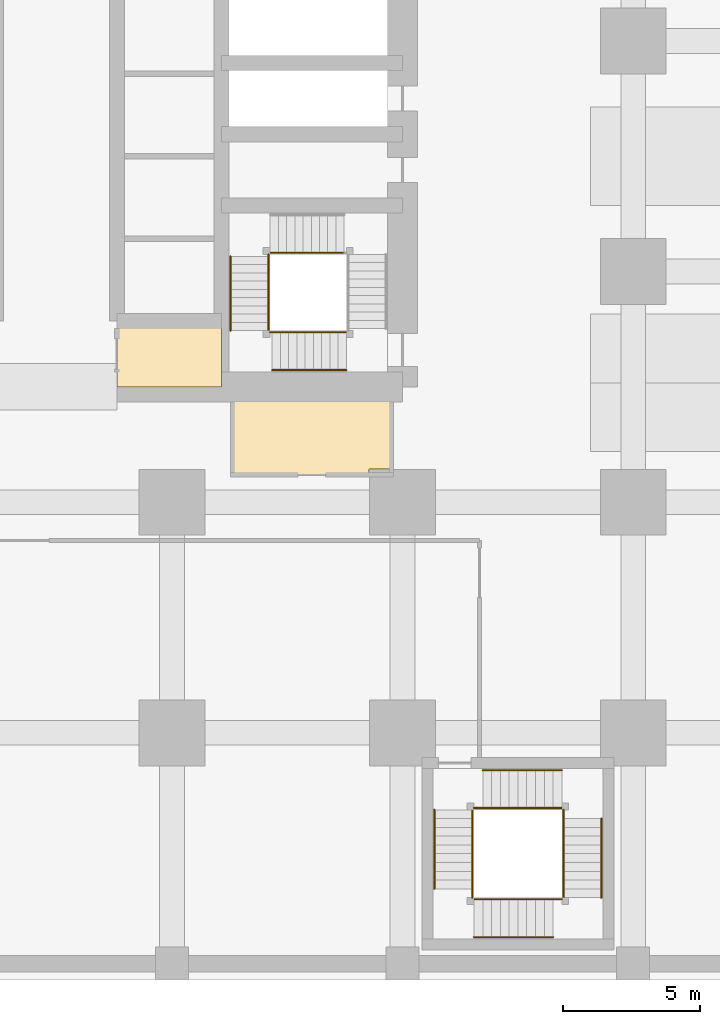
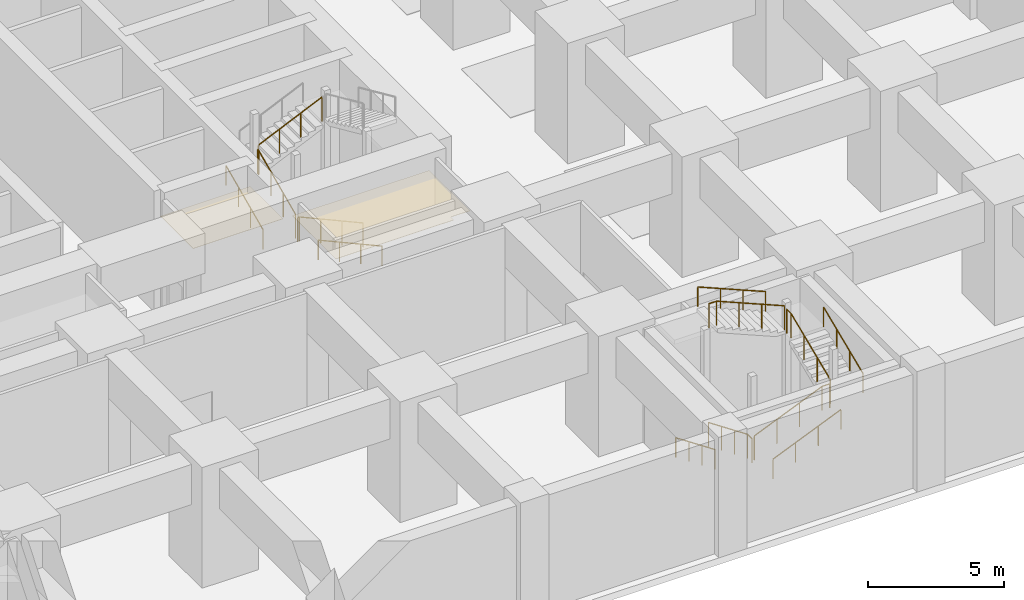
# One storey, part 15 of 20: 19 railings, 2 coverings.
"""IFC4 building model written with IfcOpenShell, lengths in metres."""

from ifc_helpers import new_model, si_unit, direction, frame, origin, origin_2d, place, context, subcontext, project, spatial, polyline, circle, outline, extrude, material, layer, layer_set, type_object, element, save


model = new_model("IFC4")

# Units and contexts
model_context = context("Model", 3, precision=1e-05, world=origin(), true_north=direction((0.0, 1.0)))
body_context = subcontext(model_context, "Body", "Model", "MODEL_VIEW")
ifc_project = project(units=[si_unit("LENGTHUNIT", "METRE"), si_unit("AREAUNIT", "SQUARE_METRE"), si_unit("VOLUMEUNIT", "CUBIC_METRE"), si_unit("PLANEANGLEUNIT", "RADIAN"), si_unit("MASSUNIT", "GRAM", prefix="KILO")], contexts=[model_context])

# Site, building, storey
site_placement = place(None, origin())
site = spatial("IfcSite", under=ifc_project, at=site_placement, CompositionType="ELEMENT")
building_placement = place(site_placement, origin())
building = spatial("IfcBuilding", under=site, at=building_placement, Name="Rekha Terrace Tower", CompositionType="ELEMENT")
storey_placement = place(building_placement, frame((0.0, 0.0, -5.39990234375)))
storey = spatial("IfcBuildingStorey", under=building, at=storey_placement, Name="B-01", CompositionType="ELEMENT", Elevation=-5.39990234375)

# Coverings
ifc_material_1 = material(Name="Fibre cement board", Category="finish")
ifc_layer = layer(ifc_material_1, 0.014892578125)
ifc_layer_set = layer_set([ifc_layer], Name="Fibre cement board")
covering_type = type_object("IfcCoveringType", Name="CL2 moisture-resistant board ceiling", PredefinedType="CEILING", material=ifc_layer_set)
covering_1_placement = place(storey_placement, frame((0.0, 0.0, 4.184814453125)))
element("IfcCovering", 1, at=covering_1_placement, inside=storey, type_object=covering_type, Name="Ceiling B-01-WCA", PredefinedType="CEILING", context=body_context, shape_type="SweptSolid", body=[
    extrude(outline(polyline([(43.800048828125, 23.39990234375), (40.0, 23.39990234375), (40.0, 21.0), (43.800048828125, 21.0), (43.800048828125, 23.39990234375)])), origin(), (0.0, 0.0, 1.0), 0.01513671875),
])
covering_2_placement = place(storey_placement, frame((0.0, 0.0, 4.184814453125)))
element("IfcCovering", 2, at=covering_2_placement, inside=storey, type_object=covering_type, Name="Ceiling B-01-WCM2", PredefinedType="CEILING", context=body_context, shape_type="SweptSolid", body=[
    extrude(outline(polyline([(50.0, 21.0), (44.199951171875, 21.0), (44.199951171875, 17.800048828125), (49.18505859375, 17.800048828125), (49.18505859375, 18.014892578125), (50.0, 18.014892578125), (50.0, 21.0)])), origin(), (0.0, 0.0, 1.0), 0.01513671875),
])

# Railings
ifc_material_2 = material(Name="Stainless steel balustrade", Category="steel")
railing_type_1 = type_object("IfcRailingType", Name="GR1 1100 stair guard", PredefinedType="GUARDRAIL", material=ifc_material_2)
railing_1_placement = place(storey_placement, frame((52.93994140625, 5.60009765625, 0.135009765625)))
element("IfcRailing", 3, at=railing_1_placement, inside=storey, type_object=railing_type_1, Name="Guard SP4 B-01 flight 1", PredefinedType="GUARDRAIL", context=body_context, shape_type="SweptSolid", body=[
    extrude(circle(Radius=0.02392578125, at=origin_2d()), frame((0.0, 0.0, 1.076171875), z_axis=(0.0, -0.9213881973, 0.388643525453), x_axis=(1.0, 0.0, 0.0)), (0.0, 0.0, 1.0), 3.1259765625),
    extrude(circle(Radius=0.02099609375, at=origin_2d()), origin(), (0.0, 0.0, 1.0), 1.052001953125),
    extrude(circle(Radius=0.02099609375, at=origin_2d()), frame((0.0, -0.9599609375, 0.405029296875)), (0.0, 0.0, 1.0), 1.052001953125),
    extrude(circle(Radius=0.02099609375, at=origin_2d()), frame((0.0, -1.920166015625, 0.809814453125)), (0.0, 0.0, 1.0), 1.052001953125),
    extrude(circle(Radius=0.02099609375, at=origin_2d()), frame((0.0, -2.880126953125, 1.21484375)), (0.0, 0.0, 1.0), 1.052001953125),
])
railing_2_placement = place(storey_placement, frame((53.0, 2.340087890625, 1.48486328125)))
element("IfcRailing", 4, at=railing_2_placement, inside=storey, type_object=railing_type_1, Name="Guard SP4 B-01 flight 2", PredefinedType="GUARDRAIL", context=body_context, shape_type="SweptSolid", body=[
    extrude(circle(Radius=0.02392578125, at=origin_2d()), frame((0.0, 0.0, 1.076171875), z_axis=(0.921348425517, 0.0, 0.388737802119), x_axis=(0.0, 1.0, 0.0)), (0.0, 0.0, 1.0), 3.125732421875),
    extrude(circle(Radius=0.02099609375, at=origin_2d()), origin(), (0.0, 0.0, 1.0), 1.052001953125),
    extrude(circle(Radius=0.02099609375, at=origin_2d()), frame((0.9599609375, 0.0, 0.405029296875)), (0.0, 0.0, 1.0), 1.052001953125),
    extrude(circle(Radius=0.02099609375, at=origin_2d()), frame((1.919921875, 0.0, 0.81005859375)), (0.0, 0.0, 1.0), 1.052001953125),
    extrude(circle(Radius=0.02099609375, at=origin_2d()), frame((2.8798828125, 0.0, 1.215087890625)), (0.0, 0.0, 1.0), 1.052001953125),
])
railing_3_placement = place(storey_placement, frame((56.260009765625, 2.39990234375, 2.8349609375)))
element("IfcRailing", 5, at=railing_3_placement, inside=storey, type_object=railing_type_1, Name="Guard SP4 B-01 flight 3", PredefinedType="GUARDRAIL", context=body_context, shape_type="SweptSolid", body=[
    extrude(circle(Radius=0.02392578125, at=origin_2d()), frame((0.0, 0.0, 1.076171875), z_axis=(0.0, 0.9213881973, 0.388643525453), x_axis=(-1.0, 0.0, 0.0)), (0.0, 0.0, 1.0), 3.1259765625),
    extrude(circle(Radius=0.02099609375, at=origin_2d()), origin(), (0.0, 0.0, 1.0), 1.052001953125),
    extrude(circle(Radius=0.02099609375, at=origin_2d()), frame((0.0, 0.9599609375, 0.405029296875)), (0.0, 0.0, 1.0), 1.052001953125),
    extrude(circle(Radius=0.02099609375, at=origin_2d()), frame((0.0, 1.920166015625, 0.809814453125)), (0.0, 0.0, 1.0), 1.052001953125),
    extrude(circle(Radius=0.02099609375, at=origin_2d()), frame((0.0, 2.880126953125, 1.21484375)), (0.0, 0.0, 1.0), 1.052001953125),
])
railing_4_placement = place(storey_placement, frame((56.199951171875, 5.659912109375, 4.184814453125)))
element("IfcRailing", 6, at=railing_4_placement, inside=storey, type_object=railing_type_1, Name="Guard SP4 B-01 flight 4", PredefinedType="GUARDRAIL", context=body_context, shape_type="SweptSolid", body=[
    extrude(circle(Radius=0.02392578125, at=origin_2d()), frame((0.0, 0.0, 1.076171875), z_axis=(-0.921348425517, 0.0, 0.388737802119), x_axis=(0.0, -1.0, 0.0)), (0.0, 0.0, 1.0), 3.125732421875),
    extrude(circle(Radius=0.02099609375, at=origin_2d()), origin(), (0.0, 0.0, 1.0), 1.052001953125),
    extrude(circle(Radius=0.02099609375, at=origin_2d()), frame((-0.9599609375, 0.0, 0.405029296875)), (0.0, 0.0, 1.0), 1.052001953125),
    extrude(circle(Radius=0.02099609375, at=origin_2d()), frame((-1.919921875, 0.0, 0.81005859375)), (0.0, 0.0, 1.0), 1.052001953125),
    extrude(circle(Radius=0.02099609375, at=origin_2d()), frame((-2.8798828125, 0.0, 1.215087890625)), (0.0, 0.0, 1.0), 1.052001953125),
])
railing_5_placement = place(storey_placement, frame((52.93994140625, 2.719970703125, 1.349853515625)))
element("IfcRailing", 7, at=railing_5_placement, inside=storey, type_object=railing_type_1, Name="Guard SP4 B-01 landing 1", PredefinedType="GUARDRAIL", context=body_context, shape_type="SweptSolid", body=[
    extrude(circle(Radius=0.02392578125, at=origin_2d()), frame((0.0, 0.0, 1.076171875), z_axis=(0.0, -1.0, 0.0), x_axis=(1.0, 0.0, 0.0)), (0.0, 0.0, 1.0), 0.320068359375),
    extrude(circle(Radius=0.02099609375, at=origin_2d()), origin(), (0.0, 0.0, 1.0), 1.052001953125),
    extrude(circle(Radius=0.02099609375, at=origin_2d()), frame((0.0, -0.320068359375, 0.0)), (0.0, 0.0, 1.0), 1.052001953125),
])
railing_6_placement = place(storey_placement, frame((55.8798828125, 2.340087890625, 2.699951171875)))
element("IfcRailing", 8, at=railing_6_placement, inside=storey, type_object=railing_type_1, Name="Guard SP4 B-01 landing 2", PredefinedType="GUARDRAIL", context=body_context, shape_type="SweptSolid", body=[
    extrude(circle(Radius=0.02392578125, at=origin_2d()), frame((0.0, 0.0, 1.076171875), z_axis=(1.0, 0.0, 0.0), x_axis=(0.0, 1.0, 0.0)), (0.0, 0.0, 1.0), 0.320068359375),
    extrude(circle(Radius=0.02099609375, at=origin_2d()), origin(), (0.0, 0.0, 1.0), 1.052001953125),
    extrude(circle(Radius=0.02099609375, at=origin_2d()), frame((0.320068359375, 0.0, 0.0)), (0.0, 0.0, 1.0), 1.052001953125),
])
railing_7_placement = place(storey_placement, frame((56.260009765625, 5.60009765625, 4.0498046875)))
element("IfcRailing", 9, at=railing_7_placement, inside=storey, type_object=railing_type_1, Name="Guard SP4 B-01 landing 3", PredefinedType="GUARDRAIL", context=body_context, shape_type="SweptSolid", body=[
    extrude(circle(Radius=0.02392578125, at=origin_2d()), frame((0.0, 0.0, 1.076171875), z_axis=(0.0, -1.0, 0.0), x_axis=(1.0, 0.0, 0.0)), (0.0, 0.0, 1.0), 0.320068359375),
    extrude(circle(Radius=0.02099609375, at=origin_2d()), origin(), (0.0, 0.0, 1.0), 1.052001953125),
    extrude(circle(Radius=0.02099609375, at=origin_2d()), frame((0.0, -0.320068359375, 0.0)), (0.0, 0.0, 1.0), 1.052001953125),
])
railing_8_placement = place(storey_placement, frame((53.0, 5.659912109375, 5.39990234375)))
element("IfcRailing", 10, at=railing_8_placement, inside=storey, type_object=railing_type_1, Name="Guard SP4 B-01 landing 4", PredefinedType="GUARDRAIL", context=body_context, shape_type="SweptSolid", body=[
    extrude(circle(Radius=0.02392578125, at=origin_2d()), frame((0.0, 0.0, 1.076171875), z_axis=(1.0, 0.0, 0.0), x_axis=(0.0, 1.0, 0.0)), (0.0, 0.0, 1.0), 0.320068359375),
    extrude(circle(Radius=0.02099609375, at=origin_2d()), origin(), (0.0, 0.0, 1.0), 1.052001953125),
    extrude(circle(Radius=0.02099609375, at=origin_2d()), frame((0.320068359375, 0.0, 0.0)), (0.0, 0.0, 1.0), 1.052001953125),
])
railing_9_placement = place(storey_placement, frame((48.35009765625, 22.989990234375, 0.135009765625)))
element("IfcRailing", 11, at=railing_9_placement, inside=storey, type_object=railing_type_1, Name="Guard ST3 B-01 flight 1", PredefinedType="GUARDRAIL", context=body_context, shape_type="SweptSolid", body=[
    extrude(circle(Radius=0.02392578125, at=origin_2d()), frame((0.0, 0.0, 1.076171875), z_axis=(-0.91195235894, 0.0, 0.410296106518), x_axis=(0.0, -1.0, 0.0)), (0.0, 0.0, 1.0), 2.9609375),
    extrude(circle(Radius=0.02099609375, at=origin_2d()), origin(), (0.0, 0.0, 1.0), 1.052001953125),
    extrude(circle(Radius=0.02099609375, at=origin_2d()), frame((-0.900146484375, 0.0, 0.405029296875)), (0.0, 0.0, 1.0), 1.052001953125),
    extrude(circle(Radius=0.02099609375, at=origin_2d()), frame((-1.800048828125, 0.0, 0.809814453125)), (0.0, 0.0, 1.0), 1.052001953125),
    extrude(circle(Radius=0.02099609375, at=origin_2d()), frame((-2.7001953125, 0.0, 1.21484375)), (0.0, 0.0, 1.0), 1.052001953125),
])
railing_10_placement = place(storey_placement, frame((45.514892578125, 23.050048828125, 1.48486328125)))
element("IfcRailing", 12, at=railing_10_placement, inside=storey, type_object=railing_type_1, Name="Guard ST3 B-01 flight 2", PredefinedType="GUARDRAIL", context=body_context, shape_type="SweptSolid", body=[
    extrude(circle(Radius=0.02392578125, at=origin_2d()), frame((0.0, 0.0, 1.076171875), z_axis=(0.0, 0.911907618724, 0.410395534713), x_axis=(-1.0, 0.0, 0.0)), (0.0, 0.0, 1.0), 2.960693359375),
    extrude(circle(Radius=0.02099609375, at=origin_2d()), origin(), (0.0, 0.0, 1.0), 1.052001953125),
    extrude(circle(Radius=0.02099609375, at=origin_2d()), frame((0.0, 0.89990234375, 0.405029296875)), (0.0, 0.0, 1.0), 1.052001953125),
    extrude(circle(Radius=0.02099609375, at=origin_2d()), frame((0.0, 1.800048828125, 0.81005859375)), (0.0, 0.0, 1.0), 1.052001953125),
    extrude(circle(Radius=0.02099609375, at=origin_2d()), frame((0.0, 2.699951171875, 1.215087890625)), (0.0, 0.0, 1.0), 1.052001953125),
])
railing_11_placement = place(storey_placement, frame((45.574951171875, 25.885009765625, 2.8349609375)))
element("IfcRailing", 13, at=railing_11_placement, inside=storey, type_object=railing_type_1, Name="Guard ST3 B-01 flight 3", PredefinedType="GUARDRAIL", context=body_context, shape_type="SweptSolid", body=[
    extrude(circle(Radius=0.02392578125, at=origin_2d()), frame((0.0, 0.0, 1.076171875), z_axis=(0.91193847666, 0.0, 0.410326960834), x_axis=(0.0, 1.0, 0.0)), (0.0, 0.0, 1.0), 2.960693359375),
    extrude(circle(Radius=0.02099609375, at=origin_2d()), origin(), (0.0, 0.0, 1.0), 1.052001953125),
    extrude(circle(Radius=0.02099609375, at=origin_2d()), frame((0.89990234375, 0.0, 0.405029296875)), (0.0, 0.0, 1.0), 1.052001953125),
    extrude(circle(Radius=0.02099609375, at=origin_2d()), frame((1.800048828125, 0.0, 0.809814453125)), (0.0, 0.0, 1.0), 1.052001953125),
    extrude(circle(Radius=0.02099609375, at=origin_2d()), frame((2.699951171875, 0.0, 1.21484375)), (0.0, 0.0, 1.0), 1.052001953125),
])
railing_12_placement = place(storey_placement, frame((45.64990234375, 22.989990234375, 1.349853515625)))
element("IfcRailing", 14, at=railing_12_placement, inside=storey, type_object=railing_type_1, Name="Guard ST3 B-01 landing 1", PredefinedType="GUARDRAIL", context=body_context, shape_type="SweptSolid", body=[
    extrude(circle(Radius=0.02392578125, at=origin_2d()), frame((0.0, 0.0, 1.076171875), z_axis=(-1.0, 0.0, 0.0), x_axis=(0.0, -1.0, 0.0)), (0.0, 0.0, 1.0), 0.074951171875),
    extrude(circle(Radius=0.02099609375, at=origin_2d()), origin(), (0.0, 0.0, 1.0), 1.052001953125),
    extrude(circle(Radius=0.02099609375, at=origin_2d()), frame((-0.074951171875, 0.0, 0.0)), (0.0, 0.0, 1.0), 1.052001953125),
])
railing_13_placement = place(storey_placement, frame((45.514892578125, 25.75, 2.699951171875)))
element("IfcRailing", 15, at=railing_13_placement, inside=storey, type_object=railing_type_1, Name="Guard ST3 B-01 landing 2", PredefinedType="GUARDRAIL", context=body_context, shape_type="SweptSolid", body=[
    extrude(circle(Radius=0.02392578125, at=origin_2d()), frame((0.0, 0.0, 1.076171875), z_axis=(0.0, 1.0, 0.0), x_axis=(-1.0, 0.0, 0.0)), (0.0, 0.0, 1.0), 0.074951171875),
    extrude(circle(Radius=0.02099609375, at=origin_2d()), origin(), (0.0, 0.0, 1.0), 1.052001953125),
    extrude(circle(Radius=0.02099609375, at=origin_2d()), frame((0.0, 0.074951171875, 0.0)), (0.0, 0.0, 1.0), 1.052001953125),
])
ifc_material_3 = material(Name="Stainless steel tube", Category="steel")
railing_type_2 = type_object("IfcRailingType", Name="HR1 900 stair handrail", PredefinedType="HANDRAIL", material=ifc_material_3)
railing_14_placement = place(storey_placement, frame((51.56005859375, 5.60009765625, 0.135009765625)))
element("IfcRailing", 16, at=railing_14_placement, inside=storey, type_object=railing_type_2, Name="Handrail SP4 B-01 flight 1", PredefinedType="HANDRAIL", context=body_context, shape_type="SweptSolid", body=[
    extrude(circle(Radius=0.02392578125, at=origin_2d()), frame((0.0, 0.0, 0.8759765625), z_axis=(0.0, -0.9213881973, 0.388643525453), x_axis=(1.0, 0.0, 0.0)), (0.0, 0.0, 1.0), 3.1259765625),
    extrude(circle(Radius=0.02099609375, at=origin_2d()), origin(), (0.0, 0.0, 1.0), 0.851806640625),
    extrude(circle(Radius=0.02099609375, at=origin_2d()), frame((0.0, -0.9599609375, 0.405029296875)), (0.0, 0.0, 1.0), 0.851806640625),
    extrude(circle(Radius=0.02099609375, at=origin_2d()), frame((0.0, -1.920166015625, 0.809814453125)), (0.0, 0.0, 1.0), 0.851806640625),
    extrude(circle(Radius=0.02099609375, at=origin_2d()), frame((0.0, -2.880126953125, 1.21484375)), (0.0, 0.0, 1.0), 0.851806640625),
])
railing_15_placement = place(storey_placement, frame((53.0, 0.9599609375, 1.48486328125)))
element("IfcRailing", 17, at=railing_15_placement, inside=storey, type_object=railing_type_2, Name="Handrail SP4 B-01 flight 2", PredefinedType="HANDRAIL", context=body_context, shape_type="SweptSolid", body=[
    extrude(circle(Radius=0.02392578125, at=origin_2d()), frame((0.0, 0.0, 0.8759765625), z_axis=(0.921348425517, 0.0, 0.388737802119), x_axis=(0.0, 1.0, 0.0)), (0.0, 0.0, 1.0), 3.125732421875),
    extrude(circle(Radius=0.02099609375, at=origin_2d()), origin(), (0.0, 0.0, 1.0), 0.851806640625),
    extrude(circle(Radius=0.02099609375, at=origin_2d()), frame((0.9599609375, 0.0, 0.405029296875)), (0.0, 0.0, 1.0), 0.851806640625),
    extrude(circle(Radius=0.02099609375, at=origin_2d()), frame((1.919921875, 0.0, 0.81005859375)), (0.0, 0.0, 1.0), 0.851806640625),
    extrude(circle(Radius=0.02099609375, at=origin_2d()), frame((2.8798828125, 0.0, 1.215087890625)), (0.0, 0.0, 1.0), 0.851806640625),
])
railing_16_placement = place(storey_placement, frame((57.639892578125, 2.39990234375, 2.8349609375)))
element("IfcRailing", 18, at=railing_16_placement, inside=storey, type_object=railing_type_2, Name="Handrail SP4 B-01 flight 3", PredefinedType="HANDRAIL", context=body_context, shape_type="SweptSolid", body=[
    extrude(circle(Radius=0.02392578125, at=origin_2d()), frame((0.0, 0.0, 0.8759765625), z_axis=(0.0, 0.9213881973, 0.388643525453), x_axis=(-1.0, 0.0, 0.0)), (0.0, 0.0, 1.0), 3.1259765625),
    extrude(circle(Radius=0.02099609375, at=origin_2d()), origin(), (0.0, 0.0, 1.0), 0.851806640625),
    extrude(circle(Radius=0.02099609375, at=origin_2d()), frame((0.0, 0.9599609375, 0.405029296875)), (0.0, 0.0, 1.0), 0.851806640625),
    extrude(circle(Radius=0.02099609375, at=origin_2d()), frame((0.0, 1.920166015625, 0.809814453125)), (0.0, 0.0, 1.0), 0.851806640625),
    extrude(circle(Radius=0.02099609375, at=origin_2d()), frame((0.0, 2.880126953125, 1.21484375)), (0.0, 0.0, 1.0), 0.851806640625),
])
railing_17_placement = place(storey_placement, frame((56.199951171875, 7.0400390625, 4.184814453125)))
element("IfcRailing", 19, at=railing_17_placement, inside=storey, type_object=railing_type_2, Name="Handrail SP4 B-01 flight 4", PredefinedType="HANDRAIL", context=body_context, shape_type="SweptSolid", body=[
    extrude(circle(Radius=0.02392578125, at=origin_2d()), frame((0.0, 0.0, 0.8759765625), z_axis=(-0.921348425517, 0.0, 0.388737802119), x_axis=(0.0, -1.0, 0.0)), (0.0, 0.0, 1.0), 3.125732421875),
    extrude(circle(Radius=0.02099609375, at=origin_2d()), origin(), (0.0, 0.0, 1.0), 0.851806640625),
    extrude(circle(Radius=0.02099609375, at=origin_2d()), frame((-0.9599609375, 0.0, 0.405029296875)), (0.0, 0.0, 1.0), 0.851806640625),
    extrude(circle(Radius=0.02099609375, at=origin_2d()), frame((-1.919921875, 0.0, 0.81005859375)), (0.0, 0.0, 1.0), 0.851806640625),
    extrude(circle(Radius=0.02099609375, at=origin_2d()), frame((-2.8798828125, 0.0, 1.215087890625)), (0.0, 0.0, 1.0), 0.851806640625),
])
railing_18_placement = place(storey_placement, frame((48.35009765625, 21.610107421875, 0.135009765625)))
element("IfcRailing", 20, at=railing_18_placement, inside=storey, type_object=railing_type_2, Name="Handrail ST3 B-01 flight 1", PredefinedType="HANDRAIL", context=body_context, shape_type="SweptSolid", body=[
    extrude(circle(Radius=0.02392578125, at=origin_2d()), frame((0.0, 0.0, 0.8759765625), z_axis=(-0.91195235894, 0.0, 0.410296106518), x_axis=(0.0, -1.0, 0.0)), (0.0, 0.0, 1.0), 2.9609375),
    extrude(circle(Radius=0.02099609375, at=origin_2d()), origin(), (0.0, 0.0, 1.0), 0.851806640625),
    extrude(circle(Radius=0.02099609375, at=origin_2d()), frame((-0.900146484375, 0.0, 0.405029296875)), (0.0, 0.0, 1.0), 0.851806640625),
    extrude(circle(Radius=0.02099609375, at=origin_2d()), frame((-1.800048828125, 0.0, 0.809814453125)), (0.0, 0.0, 1.0), 0.851806640625),
    extrude(circle(Radius=0.02099609375, at=origin_2d()), frame((-2.7001953125, 0.0, 1.21484375)), (0.0, 0.0, 1.0), 0.851806640625),
])
railing_19_placement = place(storey_placement, frame((44.135009765625, 23.050048828125, 1.48486328125)))
element("IfcRailing", 21, at=railing_19_placement, inside=storey, type_object=railing_type_2, Name="Handrail ST3 B-01 flight 2", PredefinedType="HANDRAIL", context=body_context, shape_type="SweptSolid", body=[
    extrude(circle(Radius=0.02392578125, at=origin_2d()), frame((0.0, 0.0, 0.8759765625), z_axis=(0.0, 0.911907618724, 0.410395534713), x_axis=(-1.0, 0.0, 0.0)), (0.0, 0.0, 1.0), 2.960693359375),
    extrude(circle(Radius=0.02099609375, at=origin_2d()), origin(), (0.0, 0.0, 1.0), 0.851806640625),
    extrude(circle(Radius=0.02099609375, at=origin_2d()), frame((0.0, 0.89990234375, 0.405029296875)), (0.0, 0.0, 1.0), 0.851806640625),
    extrude(circle(Radius=0.02099609375, at=origin_2d()), frame((0.0, 1.800048828125, 0.81005859375)), (0.0, 0.0, 1.0), 0.851806640625),
    extrude(circle(Radius=0.02099609375, at=origin_2d()), frame((0.0, 2.699951171875, 1.215087890625)), (0.0, 0.0, 1.0), 0.851806640625),
])

save(model, "model.ifc")
